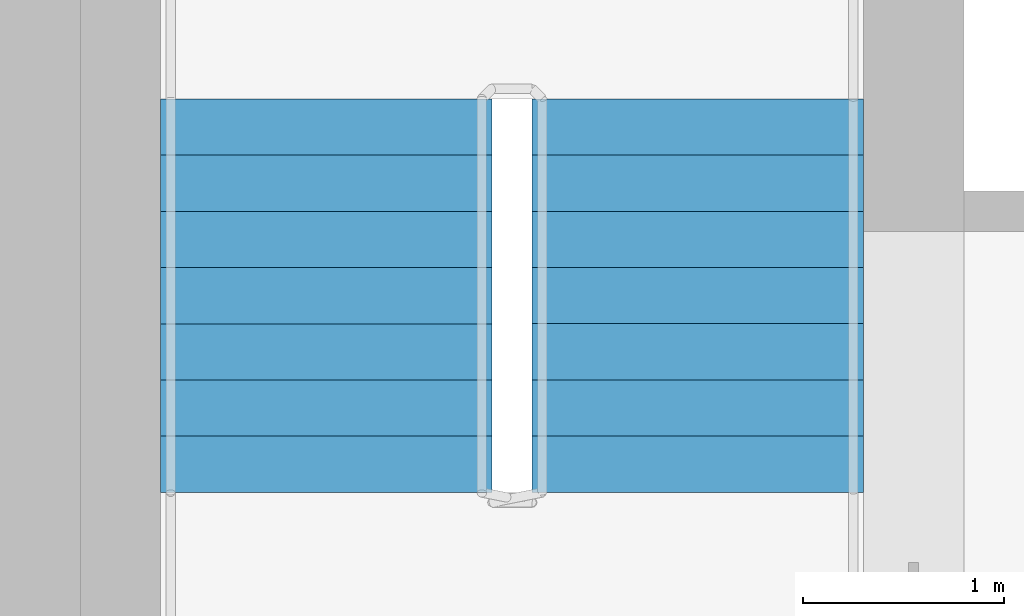
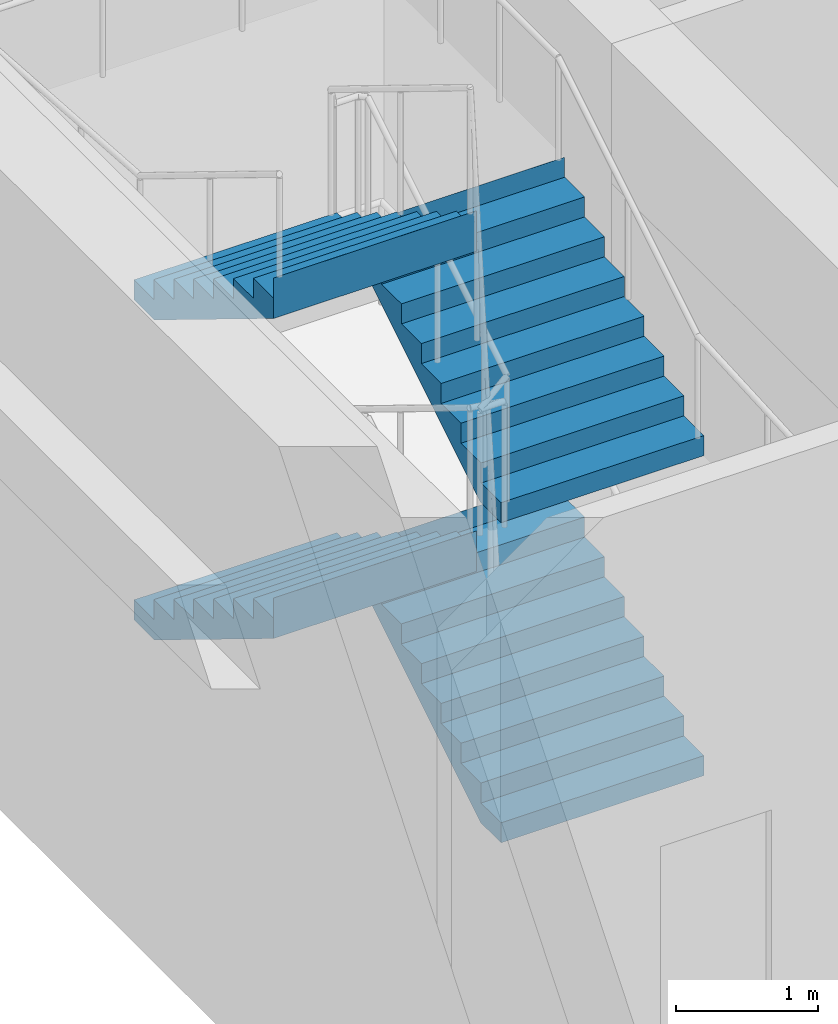
# One storey, part 6 of 8: 4 stair flights, 1 element without a shape of its own.
"""IFC4 building model written with IfcOpenShell, lengths in metres."""

from ifc_helpers import new_model, si_unit, direction, frame, origin, place, context, subcontext, project, spatial, polyline, outline, extrude, material, type_object, element, aggregate, save


model = new_model("IFC4")

# Units and contexts
model_context = context("Model", 3, precision=1e-05, world=origin(), true_north=direction((0.0, 1.0)))
body_context = subcontext(model_context, "Body", "Model", "MODEL_VIEW")
ifc_project = project(units=[si_unit("LENGTHUNIT", "METRE"), si_unit("AREAUNIT", "SQUARE_METRE"), si_unit("VOLUMEUNIT", "CUBIC_METRE"), si_unit("PLANEANGLEUNIT", "RADIAN"), si_unit("MASSUNIT", "GRAM", prefix="KILO")], contexts=[model_context])

# Site, building, storey
site_placement = place(None, origin())
site = spatial("IfcSite", under=ifc_project, at=site_placement, CompositionType="ELEMENT")
building_placement = place(site_placement, origin())
building = spatial("IfcBuilding", under=site, at=building_placement, Name="Tamorin Gate", CompositionType="ELEMENT")
storey_placement = place(building_placement, frame((0.0, 0.0, 314.699951171875)))
storey = spatial("IfcBuildingStorey", under=building, at=storey_placement, Name="L77", CompositionType="ELEMENT", Elevation=314.699951171875)

# Stair, stair flights
ifc_material = material(Name="Concrete C40/50", Category="concrete")
stair_type = type_object("IfcStairType", Name="Exit stair", PredefinedType="HALF_TURN_STAIR", material=ifc_material)
stair_placement = place(storey_placement, origin())
stair = element("IfcStair", 1, at=stair_placement, inside=storey, type_object=stair_type, Name="L77 stair ST2", PredefinedType="HALF_TURN_STAIR")
stair_flight_type = type_object("IfcStairFlightType", Name="Exit stair flight", PredefinedType="STRAIGHT", material=ifc_material)
stair_flight_1_placement = place(storey_placement, frame((33.675048828125, 77.0, 0.0), z_axis=(0.0, 0.0, 1.0), x_axis=(0.0, 1.0, 0.0)))
stair_flight_1 = element("IfcStairFlight", 2, at=stair_flight_1_placement, type_object=stair_flight_type, Name="ST2 flight 1", NumberOfRisers=8, NumberOfTreads=7, PredefinedType="STRAIGHT", RiserHeight=0.171875, TreadLength=0.28, context=body_context, shape_type="SweptSolid", body=[
    extrude(outline(polyline([(-0.00048828125, 0.0), (-0.00048828125, 0.001708984375), (-0.00048828125, 0.00341796875), (-0.00048828125, 0.005126953125), (-0.00048828125, 0.0068359375), (-0.00048828125, 0.008544921875), (-0.00048828125, 0.01025390625), (-0.00048828125, 0.011962890625), (-0.00048828125, 0.013671875), (-0.00048828125, 0.015380859375), (-0.00048828125, 0.01708984375), (-0.00048828125, 0.018798828125), (-0.00048828125, 0.0205078125), (-0.00048828125, 0.022216796875), (-0.00048828125, 0.02392578125), (-0.00048828125, 0.025634765625), (-0.00048828125, 0.02734375), (-0.00048828125, 0.02880859375), (-0.00048828125, 0.030517578125), (-0.00048828125, 0.0322265625), (-0.00048828125, 0.033935546875), (-0.00048828125, 0.03564453125), (-0.00048828125, 0.037353515625), (-0.00048828125, 0.0390625), (-0.00048828125, 0.040771484375), (-0.00048828125, 0.04248046875), (-0.00048828125, 0.044189453125), (-0.00048828125, 0.0458984375), (-0.00048828125, 0.047607421875), (-0.00048828125, 0.04931640625), (-0.00048828125, 0.051025390625), (-0.00048828125, 0.052734375), (-0.00048828125, 0.054443359375), (-0.00048828125, 0.05615234375), (-0.00048828125, 0.057861328125), (-0.00048828125, 0.0595703125), (-0.00048828125, 0.061279296875), (-0.00048828125, 0.06298828125), (-0.00048828125, 0.064697265625), (-0.00048828125, 0.06640625), (-0.00048828125, 0.068115234375), (-0.00048828125, 0.06982421875), (-0.00048828125, 0.071533203125), (-0.00048828125, 0.0732421875), (-0.00048828125, 0.074951171875), (-0.00048828125, 0.07666015625), (-0.00048828125, 0.078369140625), (-0.00048828125, 0.080078125), (-0.00048828125, 0.081787109375), (-0.00048828125, 0.08349609375), (-0.00048828125, 0.085205078125), (-0.00048828125, 0.086669921875), (-0.00048828125, 0.08837890625), (-0.00048828125, 0.090087890625), (-0.00048828125, 0.091796875), (-0.00048828125, 0.093505859375), (-0.00048828125, 0.09521484375), (-0.00048828125, 0.096923828125), (-0.00048828125, 0.0986328125), (-0.00048828125, 0.100341796875), (-0.00048828125, 0.10205078125), (-0.00048828125, 0.103759765625), (-0.00048828125, 0.10546875), (-0.00048828125, 0.107177734375), (-0.00048828125, 0.10888671875), (-0.00048828125, 0.110595703125), (-0.00048828125, 0.1123046875), (-0.00048828125, 0.114013671875), (-0.00048828125, 0.11572265625), (-0.00048828125, 0.117431640625), (-0.00048828125, 0.119140625), (-0.00048828125, 0.120849609375), (-0.00048828125, 0.12255859375), (-0.00048828125, 0.124267578125), (-0.00048828125, 0.1259765625), (-0.00048828125, 0.127685546875), (-0.00048828125, 0.12939453125), (-0.00048828125, 0.131103515625), (-0.00048828125, 0.1328125), (-0.00048828125, 0.134521484375), (-0.00048828125, 0.13623046875), (-0.00048828125, 0.137939453125), (-0.00048828125, 0.1396484375), (-0.00048828125, 0.141357421875), (-0.00048828125, 0.14306640625), (-0.00048828125, 0.14453125), (-0.00048828125, 0.146240234375), (-0.00048828125, 0.14794921875), (-0.00048828125, 0.149658203125), (-0.00048828125, 0.1513671875), (-0.00048828125, 0.153076171875), (-0.00048828125, 0.15478515625), (-0.00048828125, 0.156494140625), (-0.00048828125, 0.158203125), (-0.00048828125, 0.159912109375), (-0.00048828125, 0.16162109375), (-0.00048828125, 0.163330078125), (-0.00048828125, 0.1650390625), (-0.00048828125, 0.166748046875), (-0.00048828125, 0.16845703125), (-0.00048828125, 0.170166015625), (-0.00048828125, 0.171875), (0.280029296875, 0.171875), (0.280029296875, 0.34375), (0.56005859375, 0.34375), (0.56005859375, 0.515625), (0.840087890625, 0.515625), (0.840087890625, 0.6875), (1.1201171875, 0.6875), (1.1201171875, 0.859375), (1.39990234375, 0.859375), (1.39990234375, 1.03125), (1.679931640625, 1.03125), (1.679931640625, 1.203125), (1.9599609375, 1.203125), (1.9599609375, 1.375), (1.96044921875, 1.375), (1.96044921875, 1.37158203125), (1.96044921875, 1.3681640625), (1.96044921875, 1.36474609375), (1.96044921875, 1.361328125), (1.96044921875, 1.357666015625), (1.96044921875, 1.354248046875), (1.96044921875, 1.350830078125), (1.96044921875, 1.347412109375), (1.96044921875, 1.343994140625), (1.96044921875, 1.340576171875), (1.96044921875, 1.337158203125), (1.96044921875, 1.333740234375), (1.96044921875, 1.330322265625), (1.96044921875, 1.326904296875), (1.96044921875, 1.3232421875), (1.96044921875, 1.31982421875), (1.96044921875, 1.31640625), (1.96044921875, 1.31298828125), (1.96044921875, 1.3095703125), (1.96044921875, 1.30615234375), (1.96044921875, 1.302734375), (1.96044921875, 1.29931640625), (1.96044921875, 1.2958984375), (1.96044921875, 1.29248046875), (1.96044921875, 1.288818359375), (1.96044921875, 1.285400390625), (1.96044921875, 1.281982421875), (1.96044921875, 1.278564453125), (1.96044921875, 1.275146484375), (1.96044921875, 1.271728515625), (1.96044921875, 1.268310546875), (1.96044921875, 1.264892578125), (1.96044921875, 1.261474609375), (1.96044921875, 1.2578125), (1.96044921875, 1.25439453125), (1.96044921875, 1.2509765625), (1.96044921875, 1.24755859375), (1.96044921875, 1.244140625), (1.96044921875, 1.24072265625), (1.96044921875, 1.2373046875), (1.96044921875, 1.23388671875), (1.96044921875, 1.23046875), (1.96044921875, 1.22705078125), (1.96044921875, 1.223388671875), (1.96044921875, 1.219970703125), (1.96044921875, 1.216552734375), (1.96044921875, 1.213134765625), (1.96044921875, 1.209716796875), (1.96044921875, 1.206298828125), (1.96044921875, 1.202880859375), (1.96044921875, 1.199462890625), (1.96044921875, 1.196044921875), (1.96044921875, 1.192626953125), (1.96044921875, 1.18896484375), (1.96044921875, 1.185546875), (1.96044921875, 1.18212890625), (1.96044921875, 1.1787109375), (1.96044921875, 1.17529296875), (1.96044921875, 1.171875), (1.96044921875, 1.16845703125), (1.96044921875, 1.1650390625), (1.96044921875, 1.16162109375), (1.96044921875, 1.157958984375), (1.96044921875, 1.154541015625), (1.96044921875, 1.151123046875), (1.96044921875, 1.147705078125), (1.96044921875, 1.144287109375), (1.96044921875, 1.140869140625), (1.96044921875, 1.137451171875), (1.96044921875, 1.134033203125), (1.96044921875, 1.130615234375), (1.96044921875, 1.127197265625), (1.96044921875, 1.12353515625), (1.96044921875, 1.1201171875), (1.96044921875, 1.11669921875), (1.96044921875, 1.11328125), (1.96044921875, 1.10986328125), (1.96044921875, 1.1064453125), (1.96044921875, 1.10302734375), (1.96044921875, 1.099609375), (1.96044921875, 1.09619140625), (1.96044921875, 1.0927734375), (1.96044921875, 1.089111328125), (1.96044921875, 1.085693359375), (1.96044921875, 1.082275390625), (1.96044921875, 1.078857421875), (1.96044921875, 1.075439453125), (1.96044921875, 1.072021484375), (1.96044921875, 1.068603515625), (1.96044921875, 1.065185546875), (1.96044921875, 1.061767578125), (1.96044921875, 1.05810546875), (1.96044921875, 1.0546875), (1.96044921875, 1.05126953125), (1.96044921875, 1.0478515625), (1.96044921875, 1.04443359375), (1.96044921875, 1.041015625), (1.96044921875, 1.03759765625), (1.96044921875, 1.0341796875), (1.96044921875, 1.03076171875), (1.96044921875, 1.02734375), (1.9599609375, 1.02734375), (0.28662109375, 0.0), (-0.00048828125, 0.0)])), frame((0.0, 0.824951171875, 0.0), z_axis=(0.0, -1.0, 0.0), x_axis=(1.0, 0.0, 0.0)), (0.0, 0.0, 1.0), 1.64990234375),
])
stair_flight_2_placement = place(storey_placement, frame((31.824951171875, 78.9599609375, 1.375), z_axis=(0.0, 0.0, 1.0), x_axis=(0.0, -1.0, 0.0)))
stair_flight_2 = element("IfcStairFlight", 3, at=stair_flight_2_placement, type_object=stair_flight_type, Name="ST2 flight 2", NumberOfRisers=8, NumberOfTreads=7, PredefinedType="STRAIGHT", RiserHeight=0.171875, TreadLength=0.28, context=body_context, shape_type="SweptSolid", body=[
    extrude(outline(polyline([(-0.00048828125, 0.0), (-0.00048828125, 0.001708984375), (-0.00048828125, 0.00341796875), (-0.00048828125, 0.005126953125), (-0.00048828125, 0.0068359375), (-0.00048828125, 0.008544921875), (-0.00048828125, 0.01025390625), (-0.00048828125, 0.011962890625), (-0.00048828125, 0.013671875), (-0.00048828125, 0.015380859375), (-0.00048828125, 0.01708984375), (-0.00048828125, 0.018798828125), (-0.00048828125, 0.0205078125), (-0.00048828125, 0.022216796875), (-0.00048828125, 0.02392578125), (-0.00048828125, 0.025634765625), (-0.00048828125, 0.02734375), (-0.00048828125, 0.02880859375), (-0.00048828125, 0.030517578125), (-0.00048828125, 0.0322265625), (-0.00048828125, 0.033935546875), (-0.00048828125, 0.03564453125), (-0.00048828125, 0.037353515625), (-0.00048828125, 0.0390625), (-0.00048828125, 0.040771484375), (-0.00048828125, 0.04248046875), (-0.00048828125, 0.044189453125), (-0.00048828125, 0.0458984375), (-0.00048828125, 0.047607421875), (-0.00048828125, 0.04931640625), (-0.00048828125, 0.051025390625), (-0.00048828125, 0.052734375), (-0.00048828125, 0.054443359375), (-0.00048828125, 0.05615234375), (-0.00048828125, 0.057861328125), (-0.00048828125, 0.0595703125), (-0.00048828125, 0.061279296875), (-0.00048828125, 0.06298828125), (-0.00048828125, 0.064697265625), (-0.00048828125, 0.06640625), (-0.00048828125, 0.068115234375), (-0.00048828125, 0.06982421875), (-0.00048828125, 0.071533203125), (-0.00048828125, 0.0732421875), (-0.00048828125, 0.074951171875), (-0.00048828125, 0.07666015625), (-0.00048828125, 0.078369140625), (-0.00048828125, 0.080078125), (-0.00048828125, 0.081787109375), (-0.00048828125, 0.08349609375), (-0.00048828125, 0.085205078125), (-0.00048828125, 0.086669921875), (-0.00048828125, 0.08837890625), (-0.00048828125, 0.090087890625), (-0.00048828125, 0.091796875), (-0.00048828125, 0.093505859375), (-0.00048828125, 0.09521484375), (-0.00048828125, 0.096923828125), (-0.00048828125, 0.0986328125), (-0.00048828125, 0.100341796875), (-0.00048828125, 0.10205078125), (-0.00048828125, 0.103759765625), (-0.00048828125, 0.10546875), (-0.00048828125, 0.107177734375), (-0.00048828125, 0.10888671875), (-0.00048828125, 0.110595703125), (-0.00048828125, 0.1123046875), (-0.00048828125, 0.114013671875), (-0.00048828125, 0.11572265625), (-0.00048828125, 0.117431640625), (-0.00048828125, 0.119140625), (-0.00048828125, 0.120849609375), (-0.00048828125, 0.12255859375), (-0.00048828125, 0.124267578125), (-0.00048828125, 0.1259765625), (-0.00048828125, 0.127685546875), (-0.00048828125, 0.12939453125), (-0.00048828125, 0.131103515625), (-0.00048828125, 0.1328125), (-0.00048828125, 0.134521484375), (-0.00048828125, 0.13623046875), (-0.00048828125, 0.137939453125), (-0.00048828125, 0.1396484375), (-0.00048828125, 0.141357421875), (-0.00048828125, 0.14306640625), (-0.00048828125, 0.14453125), (-0.00048828125, 0.146240234375), (-0.00048828125, 0.14794921875), (-0.00048828125, 0.149658203125), (-0.00048828125, 0.1513671875), (-0.00048828125, 0.153076171875), (-0.00048828125, 0.15478515625), (-0.00048828125, 0.156494140625), (-0.00048828125, 0.158203125), (-0.00048828125, 0.159912109375), (-0.00048828125, 0.16162109375), (-0.00048828125, 0.163330078125), (-0.00048828125, 0.1650390625), (-0.00048828125, 0.166748046875), (-0.00048828125, 0.16845703125), (-0.00048828125, 0.170166015625), (-0.00048828125, 0.171875), (0.280029296875, 0.171875), (0.280029296875, 0.34375), (0.56005859375, 0.34375), (0.56005859375, 0.515625), (0.840087890625, 0.515625), (0.840087890625, 0.6875), (1.1201171875, 0.6875), (1.1201171875, 0.859375), (1.39990234375, 0.859375), (1.39990234375, 1.03125), (1.679931640625, 1.03125), (1.679931640625, 1.203125), (1.9599609375, 1.203125), (1.9599609375, 1.375), (1.96044921875, 1.375), (1.96044921875, 1.37158203125), (1.96044921875, 1.3681640625), (1.96044921875, 1.36474609375), (1.96044921875, 1.361328125), (1.96044921875, 1.357666015625), (1.96044921875, 1.354248046875), (1.96044921875, 1.350830078125), (1.96044921875, 1.347412109375), (1.96044921875, 1.343994140625), (1.96044921875, 1.340576171875), (1.96044921875, 1.337158203125), (1.96044921875, 1.333740234375), (1.96044921875, 1.330322265625), (1.96044921875, 1.326904296875), (1.96044921875, 1.3232421875), (1.96044921875, 1.31982421875), (1.96044921875, 1.31640625), (1.96044921875, 1.31298828125), (1.96044921875, 1.3095703125), (1.96044921875, 1.30615234375), (1.96044921875, 1.302734375), (1.96044921875, 1.29931640625), (1.96044921875, 1.2958984375), (1.96044921875, 1.29248046875), (1.96044921875, 1.288818359375), (1.96044921875, 1.285400390625), (1.96044921875, 1.281982421875), (1.96044921875, 1.278564453125), (1.96044921875, 1.275146484375), (1.96044921875, 1.271728515625), (1.96044921875, 1.268310546875), (1.96044921875, 1.264892578125), (1.96044921875, 1.261474609375), (1.96044921875, 1.2578125), (1.96044921875, 1.25439453125), (1.96044921875, 1.2509765625), (1.96044921875, 1.24755859375), (1.96044921875, 1.244140625), (1.96044921875, 1.24072265625), (1.96044921875, 1.2373046875), (1.96044921875, 1.23388671875), (1.96044921875, 1.23046875), (1.96044921875, 1.22705078125), (1.96044921875, 1.223388671875), (1.96044921875, 1.219970703125), (1.96044921875, 1.216552734375), (1.96044921875, 1.213134765625), (1.96044921875, 1.209716796875), (1.96044921875, 1.206298828125), (1.96044921875, 1.202880859375), (1.96044921875, 1.199462890625), (1.96044921875, 1.196044921875), (1.96044921875, 1.192626953125), (1.96044921875, 1.18896484375), (1.96044921875, 1.185546875), (1.96044921875, 1.18212890625), (1.96044921875, 1.1787109375), (1.96044921875, 1.17529296875), (1.96044921875, 1.171875), (1.96044921875, 1.16845703125), (1.96044921875, 1.1650390625), (1.96044921875, 1.16162109375), (1.96044921875, 1.157958984375), (1.96044921875, 1.154541015625), (1.96044921875, 1.151123046875), (1.96044921875, 1.147705078125), (1.96044921875, 1.144287109375), (1.96044921875, 1.140869140625), (1.96044921875, 1.137451171875), (1.96044921875, 1.134033203125), (1.96044921875, 1.130615234375), (1.96044921875, 1.127197265625), (1.96044921875, 1.12353515625), (1.96044921875, 1.1201171875), (1.96044921875, 1.11669921875), (1.96044921875, 1.11328125), (1.96044921875, 1.10986328125), (1.96044921875, 1.1064453125), (1.96044921875, 1.10302734375), (1.96044921875, 1.099609375), (1.96044921875, 1.09619140625), (1.96044921875, 1.0927734375), (1.96044921875, 1.089111328125), (1.96044921875, 1.085693359375), (1.96044921875, 1.082275390625), (1.96044921875, 1.078857421875), (1.96044921875, 1.075439453125), (1.96044921875, 1.072021484375), (1.96044921875, 1.068603515625), (1.96044921875, 1.065185546875), (1.96044921875, 1.061767578125), (1.96044921875, 1.05810546875), (1.96044921875, 1.0546875), (1.96044921875, 1.05126953125), (1.96044921875, 1.0478515625), (1.96044921875, 1.04443359375), (1.96044921875, 1.041015625), (1.96044921875, 1.03759765625), (1.96044921875, 1.0341796875), (1.96044921875, 1.03076171875), (1.96044921875, 1.02734375), (1.9599609375, 1.02734375), (0.28662109375, 0.0), (-0.00048828125, 0.0)])), frame((0.0, 0.824951171875, 0.0), z_axis=(0.0, -1.0, 0.0), x_axis=(1.0, 0.0, 0.0)), (0.0, 0.0, 1.0), 1.64990234375),
])
stair_flight_3_placement = place(storey_placement, frame((33.675048828125, 77.0, 2.75), z_axis=(0.0, 0.0, 1.0), x_axis=(0.0, 1.0, 0.0)))
stair_flight_3 = element("IfcStairFlight", 4, at=stair_flight_3_placement, type_object=stair_flight_type, Name="ST2 flight 3", NumberOfRisers=8, NumberOfTreads=7, PredefinedType="STRAIGHT", RiserHeight=0.171875, TreadLength=0.28, context=body_context, shape_type="SweptSolid", body=[
    extrude(outline(polyline([(-0.00048828125, 0.0), (-0.00048828125, 0.001708984375), (-0.00048828125, 0.00341796875), (-0.00048828125, 0.005126953125), (-0.00048828125, 0.0068359375), (-0.00048828125, 0.008544921875), (-0.00048828125, 0.01025390625), (-0.00048828125, 0.011962890625), (-0.00048828125, 0.013671875), (-0.00048828125, 0.015380859375), (-0.00048828125, 0.01708984375), (-0.00048828125, 0.018798828125), (-0.00048828125, 0.0205078125), (-0.00048828125, 0.022216796875), (-0.00048828125, 0.02392578125), (-0.00048828125, 0.025634765625), (-0.00048828125, 0.02734375), (-0.00048828125, 0.02880859375), (-0.00048828125, 0.030517578125), (-0.00048828125, 0.0322265625), (-0.00048828125, 0.033935546875), (-0.00048828125, 0.03564453125), (-0.00048828125, 0.037353515625), (-0.00048828125, 0.0390625), (-0.00048828125, 0.040771484375), (-0.00048828125, 0.04248046875), (-0.00048828125, 0.044189453125), (-0.00048828125, 0.0458984375), (-0.00048828125, 0.047607421875), (-0.00048828125, 0.04931640625), (-0.00048828125, 0.051025390625), (-0.00048828125, 0.052734375), (-0.00048828125, 0.054443359375), (-0.00048828125, 0.05615234375), (-0.00048828125, 0.057861328125), (-0.00048828125, 0.0595703125), (-0.00048828125, 0.061279296875), (-0.00048828125, 0.06298828125), (-0.00048828125, 0.064697265625), (-0.00048828125, 0.06640625), (-0.00048828125, 0.068115234375), (-0.00048828125, 0.06982421875), (-0.00048828125, 0.071533203125), (-0.00048828125, 0.0732421875), (-0.00048828125, 0.074951171875), (-0.00048828125, 0.07666015625), (-0.00048828125, 0.078369140625), (-0.00048828125, 0.080078125), (-0.00048828125, 0.081787109375), (-0.00048828125, 0.08349609375), (-0.00048828125, 0.085205078125), (-0.00048828125, 0.086669921875), (-0.00048828125, 0.08837890625), (-0.00048828125, 0.090087890625), (-0.00048828125, 0.091796875), (-0.00048828125, 0.093505859375), (-0.00048828125, 0.09521484375), (-0.00048828125, 0.096923828125), (-0.00048828125, 0.0986328125), (-0.00048828125, 0.100341796875), (-0.00048828125, 0.10205078125), (-0.00048828125, 0.103759765625), (-0.00048828125, 0.10546875), (-0.00048828125, 0.107177734375), (-0.00048828125, 0.10888671875), (-0.00048828125, 0.110595703125), (-0.00048828125, 0.1123046875), (-0.00048828125, 0.114013671875), (-0.00048828125, 0.11572265625), (-0.00048828125, 0.117431640625), (-0.00048828125, 0.119140625), (-0.00048828125, 0.120849609375), (-0.00048828125, 0.12255859375), (-0.00048828125, 0.124267578125), (-0.00048828125, 0.1259765625), (-0.00048828125, 0.127685546875), (-0.00048828125, 0.12939453125), (-0.00048828125, 0.131103515625), (-0.00048828125, 0.1328125), (-0.00048828125, 0.134521484375), (-0.00048828125, 0.13623046875), (-0.00048828125, 0.137939453125), (-0.00048828125, 0.1396484375), (-0.00048828125, 0.141357421875), (-0.00048828125, 0.14306640625), (-0.00048828125, 0.14453125), (-0.00048828125, 0.146240234375), (-0.00048828125, 0.14794921875), (-0.00048828125, 0.149658203125), (-0.00048828125, 0.1513671875), (-0.00048828125, 0.153076171875), (-0.00048828125, 0.15478515625), (-0.00048828125, 0.156494140625), (-0.00048828125, 0.158203125), (-0.00048828125, 0.159912109375), (-0.00048828125, 0.16162109375), (-0.00048828125, 0.163330078125), (-0.00048828125, 0.1650390625), (-0.00048828125, 0.166748046875), (-0.00048828125, 0.16845703125), (-0.00048828125, 0.170166015625), (-0.00048828125, 0.171875), (0.280029296875, 0.171875), (0.280029296875, 0.34375), (0.56005859375, 0.34375), (0.56005859375, 0.515625), (0.840087890625, 0.515625), (0.840087890625, 0.6875), (1.1201171875, 0.6875), (1.1201171875, 0.859375), (1.39990234375, 0.859375), (1.39990234375, 1.03125), (1.679931640625, 1.03125), (1.679931640625, 1.203125), (1.9599609375, 1.203125), (1.9599609375, 1.375), (1.96044921875, 1.375), (1.96044921875, 1.37158203125), (1.96044921875, 1.3681640625), (1.96044921875, 1.36474609375), (1.96044921875, 1.361328125), (1.96044921875, 1.357666015625), (1.96044921875, 1.354248046875), (1.96044921875, 1.350830078125), (1.96044921875, 1.347412109375), (1.96044921875, 1.343994140625), (1.96044921875, 1.340576171875), (1.96044921875, 1.337158203125), (1.96044921875, 1.333740234375), (1.96044921875, 1.330322265625), (1.96044921875, 1.326904296875), (1.96044921875, 1.3232421875), (1.96044921875, 1.31982421875), (1.96044921875, 1.31640625), (1.96044921875, 1.31298828125), (1.96044921875, 1.3095703125), (1.96044921875, 1.30615234375), (1.96044921875, 1.302734375), (1.96044921875, 1.29931640625), (1.96044921875, 1.2958984375), (1.96044921875, 1.29248046875), (1.96044921875, 1.288818359375), (1.96044921875, 1.285400390625), (1.96044921875, 1.281982421875), (1.96044921875, 1.278564453125), (1.96044921875, 1.275146484375), (1.96044921875, 1.271728515625), (1.96044921875, 1.268310546875), (1.96044921875, 1.264892578125), (1.96044921875, 1.261474609375), (1.96044921875, 1.2578125), (1.96044921875, 1.25439453125), (1.96044921875, 1.2509765625), (1.96044921875, 1.24755859375), (1.96044921875, 1.244140625), (1.96044921875, 1.24072265625), (1.96044921875, 1.2373046875), (1.96044921875, 1.23388671875), (1.96044921875, 1.23046875), (1.96044921875, 1.22705078125), (1.96044921875, 1.223388671875), (1.96044921875, 1.219970703125), (1.96044921875, 1.216552734375), (1.96044921875, 1.213134765625), (1.96044921875, 1.209716796875), (1.96044921875, 1.206298828125), (1.96044921875, 1.202880859375), (1.96044921875, 1.199462890625), (1.96044921875, 1.196044921875), (1.96044921875, 1.192626953125), (1.96044921875, 1.18896484375), (1.96044921875, 1.185546875), (1.96044921875, 1.18212890625), (1.96044921875, 1.1787109375), (1.96044921875, 1.17529296875), (1.96044921875, 1.171875), (1.96044921875, 1.16845703125), (1.96044921875, 1.1650390625), (1.96044921875, 1.16162109375), (1.96044921875, 1.157958984375), (1.96044921875, 1.154541015625), (1.96044921875, 1.151123046875), (1.96044921875, 1.147705078125), (1.96044921875, 1.144287109375), (1.96044921875, 1.140869140625), (1.96044921875, 1.137451171875), (1.96044921875, 1.134033203125), (1.96044921875, 1.130615234375), (1.96044921875, 1.127197265625), (1.96044921875, 1.12353515625), (1.96044921875, 1.1201171875), (1.96044921875, 1.11669921875), (1.96044921875, 1.11328125), (1.96044921875, 1.10986328125), (1.96044921875, 1.1064453125), (1.96044921875, 1.10302734375), (1.96044921875, 1.099609375), (1.96044921875, 1.09619140625), (1.96044921875, 1.0927734375), (1.96044921875, 1.089111328125), (1.96044921875, 1.085693359375), (1.96044921875, 1.082275390625), (1.96044921875, 1.078857421875), (1.96044921875, 1.075439453125), (1.96044921875, 1.072021484375), (1.96044921875, 1.068603515625), (1.96044921875, 1.065185546875), (1.96044921875, 1.061767578125), (1.96044921875, 1.05810546875), (1.96044921875, 1.0546875), (1.96044921875, 1.05126953125), (1.96044921875, 1.0478515625), (1.96044921875, 1.04443359375), (1.96044921875, 1.041015625), (1.96044921875, 1.03759765625), (1.96044921875, 1.0341796875), (1.96044921875, 1.03076171875), (1.96044921875, 1.02734375), (1.9599609375, 1.02734375), (0.28662109375, 0.0), (-0.00048828125, 0.0)])), frame((0.0, 0.824951171875, 0.0), z_axis=(0.0, -1.0, 0.0), x_axis=(1.0, 0.0, 0.0)), (0.0, 0.0, 1.0), 1.64990234375),
])
stair_flight_4_placement = place(storey_placement, frame((31.824951171875, 78.9599609375, 4.125), z_axis=(0.0, 0.0, 1.0), x_axis=(0.0, -1.0, 0.0)))
stair_flight_4 = element("IfcStairFlight", 5, at=stair_flight_4_placement, type_object=stair_flight_type, Name="ST2 flight 4", NumberOfRisers=8, NumberOfTreads=7, PredefinedType="STRAIGHT", RiserHeight=0.171875, TreadLength=0.28, context=body_context, shape_type="SweptSolid", body=[
    extrude(outline(polyline([(-0.00048828125, 0.0), (-0.00048828125, 0.001708984375), (-0.00048828125, 0.00341796875), (-0.00048828125, 0.005126953125), (-0.00048828125, 0.0068359375), (-0.00048828125, 0.008544921875), (-0.00048828125, 0.01025390625), (-0.00048828125, 0.011962890625), (-0.00048828125, 0.013671875), (-0.00048828125, 0.015380859375), (-0.00048828125, 0.01708984375), (-0.00048828125, 0.018798828125), (-0.00048828125, 0.0205078125), (-0.00048828125, 0.022216796875), (-0.00048828125, 0.02392578125), (-0.00048828125, 0.025634765625), (-0.00048828125, 0.02734375), (-0.00048828125, 0.02880859375), (-0.00048828125, 0.030517578125), (-0.00048828125, 0.0322265625), (-0.00048828125, 0.033935546875), (-0.00048828125, 0.03564453125), (-0.00048828125, 0.037353515625), (-0.00048828125, 0.0390625), (-0.00048828125, 0.040771484375), (-0.00048828125, 0.04248046875), (-0.00048828125, 0.044189453125), (-0.00048828125, 0.0458984375), (-0.00048828125, 0.047607421875), (-0.00048828125, 0.04931640625), (-0.00048828125, 0.051025390625), (-0.00048828125, 0.052734375), (-0.00048828125, 0.054443359375), (-0.00048828125, 0.05615234375), (-0.00048828125, 0.057861328125), (-0.00048828125, 0.0595703125), (-0.00048828125, 0.061279296875), (-0.00048828125, 0.06298828125), (-0.00048828125, 0.064697265625), (-0.00048828125, 0.06640625), (-0.00048828125, 0.068115234375), (-0.00048828125, 0.06982421875), (-0.00048828125, 0.071533203125), (-0.00048828125, 0.0732421875), (-0.00048828125, 0.074951171875), (-0.00048828125, 0.07666015625), (-0.00048828125, 0.078369140625), (-0.00048828125, 0.080078125), (-0.00048828125, 0.081787109375), (-0.00048828125, 0.08349609375), (-0.00048828125, 0.085205078125), (-0.00048828125, 0.086669921875), (-0.00048828125, 0.08837890625), (-0.00048828125, 0.090087890625), (-0.00048828125, 0.091796875), (-0.00048828125, 0.093505859375), (-0.00048828125, 0.09521484375), (-0.00048828125, 0.096923828125), (-0.00048828125, 0.0986328125), (-0.00048828125, 0.100341796875), (-0.00048828125, 0.10205078125), (-0.00048828125, 0.103759765625), (-0.00048828125, 0.10546875), (-0.00048828125, 0.107177734375), (-0.00048828125, 0.10888671875), (-0.00048828125, 0.110595703125), (-0.00048828125, 0.1123046875), (-0.00048828125, 0.114013671875), (-0.00048828125, 0.11572265625), (-0.00048828125, 0.117431640625), (-0.00048828125, 0.119140625), (-0.00048828125, 0.120849609375), (-0.00048828125, 0.12255859375), (-0.00048828125, 0.124267578125), (-0.00048828125, 0.1259765625), (-0.00048828125, 0.127685546875), (-0.00048828125, 0.12939453125), (-0.00048828125, 0.131103515625), (-0.00048828125, 0.1328125), (-0.00048828125, 0.134521484375), (-0.00048828125, 0.13623046875), (-0.00048828125, 0.137939453125), (-0.00048828125, 0.1396484375), (-0.00048828125, 0.141357421875), (-0.00048828125, 0.14306640625), (-0.00048828125, 0.14453125), (-0.00048828125, 0.146240234375), (-0.00048828125, 0.14794921875), (-0.00048828125, 0.149658203125), (-0.00048828125, 0.1513671875), (-0.00048828125, 0.153076171875), (-0.00048828125, 0.15478515625), (-0.00048828125, 0.156494140625), (-0.00048828125, 0.158203125), (-0.00048828125, 0.159912109375), (-0.00048828125, 0.16162109375), (-0.00048828125, 0.163330078125), (-0.00048828125, 0.1650390625), (-0.00048828125, 0.166748046875), (-0.00048828125, 0.16845703125), (-0.00048828125, 0.170166015625), (-0.00048828125, 0.171875), (0.280029296875, 0.171875), (0.280029296875, 0.34375), (0.56005859375, 0.34375), (0.56005859375, 0.515625), (0.840087890625, 0.515625), (0.840087890625, 0.6875), (1.1201171875, 0.6875), (1.1201171875, 0.859375), (1.39990234375, 0.859375), (1.39990234375, 1.03125), (1.679931640625, 1.03125), (1.679931640625, 1.203125), (1.9599609375, 1.203125), (1.9599609375, 1.375), (1.96044921875, 1.375), (1.96044921875, 1.37158203125), (1.96044921875, 1.3681640625), (1.96044921875, 1.36474609375), (1.96044921875, 1.361328125), (1.96044921875, 1.357666015625), (1.96044921875, 1.354248046875), (1.96044921875, 1.350830078125), (1.96044921875, 1.347412109375), (1.96044921875, 1.343994140625), (1.96044921875, 1.340576171875), (1.96044921875, 1.337158203125), (1.96044921875, 1.333740234375), (1.96044921875, 1.330322265625), (1.96044921875, 1.326904296875), (1.96044921875, 1.3232421875), (1.96044921875, 1.31982421875), (1.96044921875, 1.31640625), (1.96044921875, 1.31298828125), (1.96044921875, 1.3095703125), (1.96044921875, 1.30615234375), (1.96044921875, 1.302734375), (1.96044921875, 1.29931640625), (1.96044921875, 1.2958984375), (1.96044921875, 1.29248046875), (1.96044921875, 1.288818359375), (1.96044921875, 1.285400390625), (1.96044921875, 1.281982421875), (1.96044921875, 1.278564453125), (1.96044921875, 1.275146484375), (1.96044921875, 1.271728515625), (1.96044921875, 1.268310546875), (1.96044921875, 1.264892578125), (1.96044921875, 1.261474609375), (1.96044921875, 1.2578125), (1.96044921875, 1.25439453125), (1.96044921875, 1.2509765625), (1.96044921875, 1.24755859375), (1.96044921875, 1.244140625), (1.96044921875, 1.24072265625), (1.96044921875, 1.2373046875), (1.96044921875, 1.23388671875), (1.96044921875, 1.23046875), (1.96044921875, 1.22705078125), (1.96044921875, 1.223388671875), (1.96044921875, 1.219970703125), (1.96044921875, 1.216552734375), (1.96044921875, 1.213134765625), (1.96044921875, 1.209716796875), (1.96044921875, 1.206298828125), (1.96044921875, 1.202880859375), (1.96044921875, 1.199462890625), (1.96044921875, 1.196044921875), (1.96044921875, 1.192626953125), (1.96044921875, 1.18896484375), (1.96044921875, 1.185546875), (1.96044921875, 1.18212890625), (1.96044921875, 1.1787109375), (1.96044921875, 1.17529296875), (1.96044921875, 1.171875), (1.96044921875, 1.16845703125), (1.96044921875, 1.1650390625), (1.96044921875, 1.16162109375), (1.96044921875, 1.157958984375), (1.96044921875, 1.154541015625), (1.96044921875, 1.151123046875), (1.96044921875, 1.147705078125), (1.96044921875, 1.144287109375), (1.96044921875, 1.140869140625), (1.96044921875, 1.137451171875), (1.96044921875, 1.134033203125), (1.96044921875, 1.130615234375), (1.96044921875, 1.127197265625), (1.96044921875, 1.12353515625), (1.96044921875, 1.1201171875), (1.96044921875, 1.11669921875), (1.96044921875, 1.11328125), (1.96044921875, 1.10986328125), (1.96044921875, 1.1064453125), (1.96044921875, 1.10302734375), (1.96044921875, 1.099609375), (1.96044921875, 1.09619140625), (1.96044921875, 1.0927734375), (1.96044921875, 1.089111328125), (1.96044921875, 1.085693359375), (1.96044921875, 1.082275390625), (1.96044921875, 1.078857421875), (1.96044921875, 1.075439453125), (1.96044921875, 1.072021484375), (1.96044921875, 1.068603515625), (1.96044921875, 1.065185546875), (1.96044921875, 1.061767578125), (1.96044921875, 1.05810546875), (1.96044921875, 1.0546875), (1.96044921875, 1.05126953125), (1.96044921875, 1.0478515625), (1.96044921875, 1.04443359375), (1.96044921875, 1.041015625), (1.96044921875, 1.03759765625), (1.96044921875, 1.0341796875), (1.96044921875, 1.03076171875), (1.96044921875, 1.02734375), (1.9599609375, 1.02734375), (0.28662109375, 0.0), (-0.00048828125, 0.0)])), frame((0.0, 0.824951171875, 0.0), z_axis=(0.0, -1.0, 0.0), x_axis=(1.0, 0.0, 0.0)), (0.0, 0.0, 1.0), 1.64990234375),
])
aggregate(stair, [stair_flight_1, stair_flight_2, stair_flight_3, stair_flight_4])

save(model, "model.ifc")
